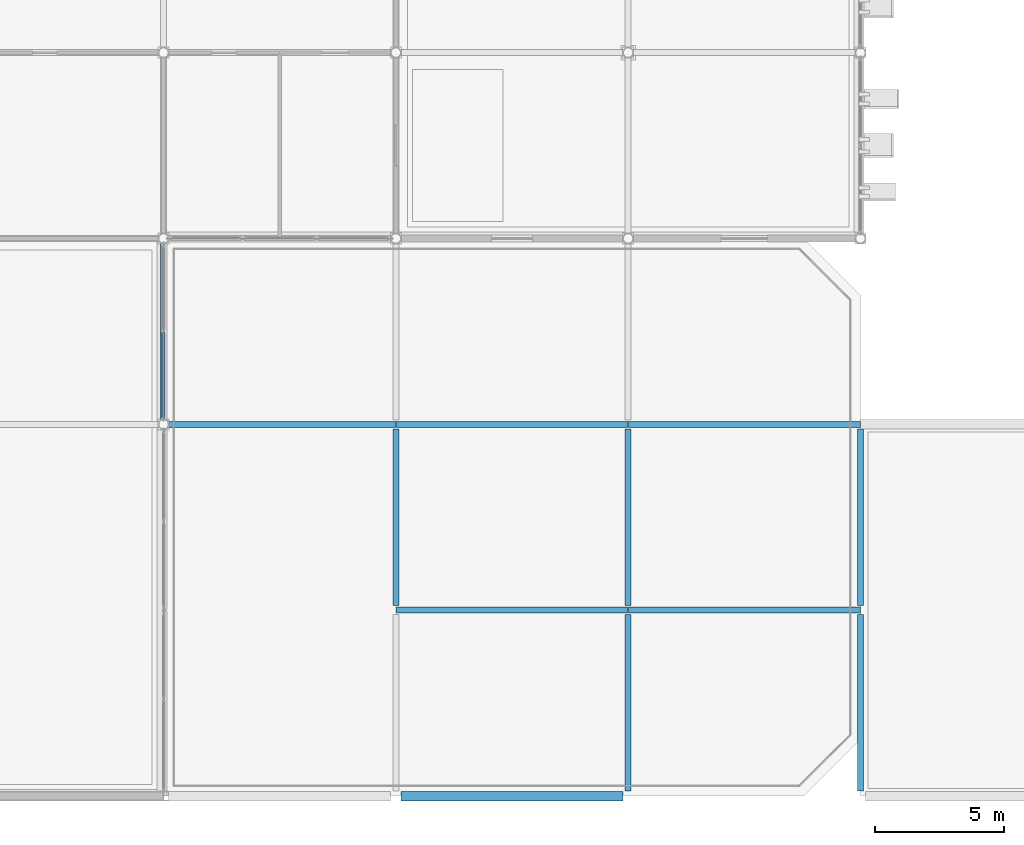
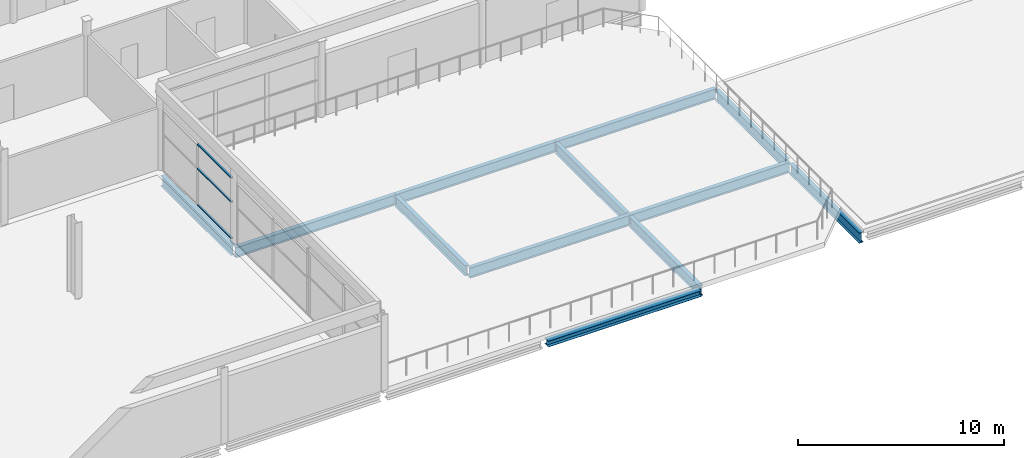
# One storey, part 15 of 52: 12 beams, 3 members, 1 element without a shape of its own.
"""IFC4 building model written with IfcOpenShell, lengths in metres."""

from ifc_helpers import new_model, si_unit, direction, frame, origin, origin_2d, place, context, subcontext, project, spatial, hollow_rectangle, i_section, extrude, material, layer, layer_set, material_profile, profile_set, type_object, element, aggregate, save


model = new_model("IFC4")

# Units and contexts
model_context = context("Model", 3, precision=1e-05, world=origin(), true_north=direction((0.0, 1.0)))
body_context = subcontext(model_context, "Body", "Model", "MODEL_VIEW")
ifc_project = project(units=[si_unit("LENGTHUNIT", "METRE"), si_unit("AREAUNIT", "SQUARE_METRE"), si_unit("VOLUMEUNIT", "CUBIC_METRE"), si_unit("PLANEANGLEUNIT", "RADIAN"), si_unit("MASSUNIT", "GRAM", prefix="KILO")], contexts=[model_context])

# Site, building, storey
site_placement = place(None, origin())
site = spatial("IfcSite", under=ifc_project, at=site_placement, CompositionType="ELEMENT")
building_placement = place(site_placement, origin())
building = spatial("IfcBuilding", under=site, at=building_placement, Name="Celestram Park Convention Centre", CompositionType="ELEMENT")
storey_placement = place(building_placement, frame((0.0, 0.0, 24.300048828125)))
storey = spatial("IfcBuildingStorey", under=building, at=storey_placement, Name="L05", CompositionType="ELEMENT", Elevation=24.300048828125)

# Curtain wall, members
ifc_material_1 = material(Name="Anodised Aluminium Alloy 6063-T6", Category="aluminium")
ifc_layer = layer(ifc_material_1, 0.179931640625)
ifc_layer_set = layer_set([ifc_layer], Name="Anodised Aluminium Alloy 6063-T6")
curtain_wall_type = type_object("IfcCurtainWallType", Name="ARC-CW-680X365", PredefinedType="NOTDEFINED", material=ifc_layer_set)
curtain_wall_placement = place(storey_placement, origin())
curtain_wall = element("IfcCurtainWall", 1, at=curtain_wall_placement, inside=storey, type_object=curtain_wall_type, Name="Unitised curtain wall CU-L05-257", PredefinedType="NOTDEFINED")
ifc_material_profile_1 = material_profile(ifc_material_1, hollow_rectangle(XDim=0.1201171875, YDim=0.06005859375, WallThickness=0.0029296875, at=origin_2d()), Name="ALU120X60X3")
ifc_profile_set_1 = profile_set([ifc_material_profile_1], Name="Anodised Aluminium Alloy 6063-T6")
member_type = type_object("IfcMemberType", Name="ARC-CWT-120", PredefinedType="USERDEFINED", material=ifc_profile_set_1)
member_1_placement = place(storey_placement, frame((72.0, 125.967529296875, 0.030029296875), z_axis=(0.0, -1.0, 0.0), x_axis=(1.0, 0.0, 0.0)))
member_1 = element("IfcMember", 2, at=member_1_placement, type_object=member_type, Name="CW-68X36 transom 2.1", ObjectType="TRANSOM", PredefinedType="USERDEFINED", context=body_context, shape_type="SweptSolid", body=[
    extrude(hollow_rectangle(XDim=0.1201171875, YDim=0.06005859375, WallThickness=0.0029296875, at=origin_2d()), origin(), (0.0, 0.0, 1.0), 3.303466796875),
])
member_2_placement = place(storey_placement, frame((72.0, 125.967529296875, 2.18896484375), z_axis=(0.0, -1.0, 0.0), x_axis=(1.0, 0.0, 0.0)))
member_2 = element("IfcMember", 3, at=member_2_placement, type_object=member_type, Name="CW-68X36 transom 2.2", ObjectType="TRANSOM", PredefinedType="USERDEFINED", context=body_context, shape_type="SweptSolid", body=[
    extrude(hollow_rectangle(XDim=0.1201171875, YDim=0.06005859375, WallThickness=0.0029296875, at=origin_2d()), origin(), (0.0, 0.0, 1.0), 3.303466796875),
])
member_3_placement = place(storey_placement, frame((72.0, 125.967529296875, 3.617919921875), z_axis=(0.0, -1.0, 0.0), x_axis=(1.0, 0.0, 0.0)))
member_3 = element("IfcMember", 4, at=member_3_placement, type_object=member_type, Name="CW-68X36 transom 2.3", ObjectType="TRANSOM", PredefinedType="USERDEFINED", context=body_context, shape_type="SweptSolid", body=[
    extrude(hollow_rectangle(XDim=0.1201171875, YDim=0.06005859375, WallThickness=0.0029296875, at=origin_2d()), origin(), (0.0, 0.0, 1.0), 3.303466796875),
])
aggregate(curtain_wall, [member_1, member_2, member_3])

# Beams
ifc_material_2 = material(Name="Steel ASTM A992 Grade 50", Category="steel")
ifc_material_profile_2 = material_profile(ifc_material_2, i_section(OverallWidth=0.22900390625, OverallDepth=0.612060546875, WebThickness=0.011962890625, FlangeThickness=0.01953125, at=origin_2d()), Name="W24X84")
ifc_profile_set_2 = profile_set([ifc_material_profile_2], Name="Steel ASTM A992 Grade 50")
beam_type_1 = type_object("IfcBeamType", Name="STR-BM-W24X84", PredefinedType="BEAM", material=ifc_profile_set_2)
beam_1_placement = place(storey_placement, frame((72.0048828125, 122.39990234375, -0.60595703125), z_axis=(1.0, 0.0, 0.0), x_axis=(0.0, 1.0, 0.0)))
element("IfcBeam", 5, at=beam_1_placement, inside=storey, type_object=beam_type_1, Name="Primary X-girder BG-L05-0058", PredefinedType="BEAM", context=body_context, shape_type="SweptSolid", body=[
    extrude(i_section(OverallWidth=0.22900390625, OverallDepth=0.612060546875, WebThickness=0.011962890625, FlangeThickness=0.01953125, at=origin_2d()), origin(), (0.0, 0.0, 1.0), 8.990234375),
])
beam_2_placement = place(storey_placement, frame((72.0, 122.575927734375, -0.60595703125), z_axis=(0.0, 1.0, 0.0), x_axis=(-1.0, 0.0, 0.0)))
element("IfcBeam", 6, at=beam_2_placement, inside=storey, type_object=beam_type_1, Name="Primary Y-girder BG-L05-0059", PredefinedType="BEAM", context=body_context, shape_type="SweptSolid", body=[
    extrude(i_section(OverallWidth=0.22900390625, OverallDepth=0.612060546875, WebThickness=0.011962890625, FlangeThickness=0.01953125, at=origin_2d()), origin(), (0.0, 0.0, 1.0), 6.84814453125),
])
beam_3_placement = place(storey_placement, frame((81.0048828125, 115.199951171875, -0.60595703125), z_axis=(1.0, 0.0, 0.0), x_axis=(0.0, 1.0, 0.0)))
element("IfcBeam", 7, at=beam_3_placement, inside=storey, type_object=beam_type_1, Name="Primary X-girder BG-L05-0073", PredefinedType="BEAM", context=body_context, shape_type="SweptSolid", body=[
    extrude(i_section(OverallWidth=0.22900390625, OverallDepth=0.612060546875, WebThickness=0.011962890625, FlangeThickness=0.01953125, at=origin_2d()), origin(), (0.0, 0.0, 1.0), 8.990234375),
])
beam_4_placement = place(storey_placement, frame((81.0, 115.3759765625, -0.60595703125), z_axis=(0.0, 1.0, 0.0), x_axis=(-1.0, 0.0, 0.0)))
element("IfcBeam", 8, at=beam_4_placement, inside=storey, type_object=beam_type_1, Name="Primary Y-girder BG-L05-0074", PredefinedType="BEAM", context=body_context, shape_type="SweptSolid", body=[
    extrude(i_section(OverallWidth=0.22900390625, OverallDepth=0.612060546875, WebThickness=0.011962890625, FlangeThickness=0.01953125, at=origin_2d()), origin(), (0.0, 0.0, 1.0), 6.84814453125),
])
beam_5_placement = place(storey_placement, frame((81.0048828125, 122.39990234375, -0.60595703125), z_axis=(1.0, 0.0, 0.0), x_axis=(0.0, 1.0, 0.0)))
element("IfcBeam", 9, at=beam_5_placement, inside=storey, type_object=beam_type_1, Name="Primary X-girder BG-L05-0075", PredefinedType="BEAM", context=body_context, shape_type="SweptSolid", body=[
    extrude(i_section(OverallWidth=0.22900390625, OverallDepth=0.612060546875, WebThickness=0.011962890625, FlangeThickness=0.01953125, at=origin_2d()), origin(), (0.0, 0.0, 1.0), 8.990234375),
])
beam_6_placement = place(storey_placement, frame((90.0, 108.197998046875, -0.60595703125), z_axis=(0.0, 1.0, 0.0), x_axis=(-1.0, 0.0, 0.0)))
element("IfcBeam", 10, at=beam_6_placement, inside=storey, type_object=beam_type_1, Name="Primary Y-girder BG-L05-0086", PredefinedType="BEAM", context=body_context, shape_type="SweptSolid", body=[
    extrude(i_section(OverallWidth=0.22900390625, OverallDepth=0.612060546875, WebThickness=0.011962890625, FlangeThickness=0.01953125, at=origin_2d()), origin(), (0.0, 0.0, 1.0), 6.825927734375),
])
beam_7_placement = place(storey_placement, frame((90.0048828125, 115.199951171875, -0.60595703125), z_axis=(1.0, 0.0, 0.0), x_axis=(0.0, 1.0, 0.0)))
element("IfcBeam", 11, at=beam_7_placement, inside=storey, type_object=beam_type_1, Name="Primary X-girder BG-L05-0087", PredefinedType="BEAM", context=body_context, shape_type="SweptSolid", body=[
    extrude(i_section(OverallWidth=0.22900390625, OverallDepth=0.612060546875, WebThickness=0.011962890625, FlangeThickness=0.01953125, at=origin_2d()), origin(), (0.0, 0.0, 1.0), 8.990234375),
])
beam_8_placement = place(storey_placement, frame((90.0, 115.3759765625, -0.60595703125), z_axis=(0.0, 1.0, 0.0), x_axis=(-1.0, 0.0, 0.0)))
element("IfcBeam", 12, at=beam_8_placement, inside=storey, type_object=beam_type_1, Name="Primary Y-girder BG-L05-0088", PredefinedType="BEAM", context=body_context, shape_type="SweptSolid", body=[
    extrude(i_section(OverallWidth=0.22900390625, OverallDepth=0.612060546875, WebThickness=0.011962890625, FlangeThickness=0.01953125, at=origin_2d()), origin(), (0.0, 0.0, 1.0), 6.84814453125),
])
beam_9_placement = place(storey_placement, frame((90.0048828125, 122.39990234375, -0.60595703125), z_axis=(1.0, 0.0, 0.0), x_axis=(0.0, 1.0, 0.0)))
element("IfcBeam", 13, at=beam_9_placement, inside=storey, type_object=beam_type_1, Name="Primary X-girder BG-L05-0089", PredefinedType="BEAM", context=body_context, shape_type="SweptSolid", body=[
    extrude(i_section(OverallWidth=0.22900390625, OverallDepth=0.612060546875, WebThickness=0.011962890625, FlangeThickness=0.01953125, at=origin_2d()), origin(), (0.0, 0.0, 1.0), 8.990234375),
])
beam_10_placement = place(storey_placement, frame((99.0, 108.197998046875, -0.60595703125), z_axis=(0.0, 1.0, 0.0), x_axis=(-1.0, 0.0, 0.0)))
element("IfcBeam", 14, at=beam_10_placement, inside=storey, type_object=beam_type_1, Name="Primary Y-girder BG-L05-0101", PredefinedType="BEAM", context=body_context, shape_type="SweptSolid", body=[
    extrude(i_section(OverallWidth=0.22900390625, OverallDepth=0.612060546875, WebThickness=0.011962890625, FlangeThickness=0.01953125, at=origin_2d()), origin(), (0.0, 0.0, 1.0), 6.825927734375),
])
beam_11_placement = place(storey_placement, frame((99.0, 115.3759765625, -0.60595703125), z_axis=(0.0, 1.0, 0.0), x_axis=(-1.0, 0.0, 0.0)))
element("IfcBeam", 15, at=beam_11_placement, inside=storey, type_object=beam_type_1, Name="Primary Y-girder BG-L05-0102", PredefinedType="BEAM", context=body_context, shape_type="SweptSolid", body=[
    extrude(i_section(OverallWidth=0.22900390625, OverallDepth=0.612060546875, WebThickness=0.011962890625, FlangeThickness=0.01953125, at=origin_2d()), origin(), (0.0, 0.0, 1.0), 6.84814453125),
])
ifc_material_profile_3 = material_profile(ifc_material_2, i_section(OverallWidth=0.367919921875, OverallDepth=0.35595703125, WebThickness=0.01123046875, FlangeThickness=0.01806640625, at=origin_2d()), Name="W14X90")
ifc_profile_set_3 = profile_set([ifc_material_profile_3], Name="Steel ASTM A992 Grade 50")
beam_type_2 = type_object("IfcBeamType", Name="STR-SPN-W14X90", PredefinedType="SPANDREL", material=ifc_profile_set_3)
beam_12_placement = place(storey_placement, frame((81.197998046875, 108.0, -0.47802734375), z_axis=(1.0, 0.0, 0.0), x_axis=(0.0, 1.0, 0.0)))
element("IfcBeam", 16, at=beam_12_placement, inside=storey, type_object=beam_type_2, Name="Primary X-girder BG-L05-0071", PredefinedType="SPANDREL", context=body_context, shape_type="SweptSolid", body=[
    extrude(i_section(OverallWidth=0.367919921875, OverallDepth=0.35595703125, WebThickness=0.01123046875, FlangeThickness=0.01806640625, at=origin_2d()), origin(), (0.0, 0.0, 1.0), 8.60400390625),
])

save(model, "model.ifc")
